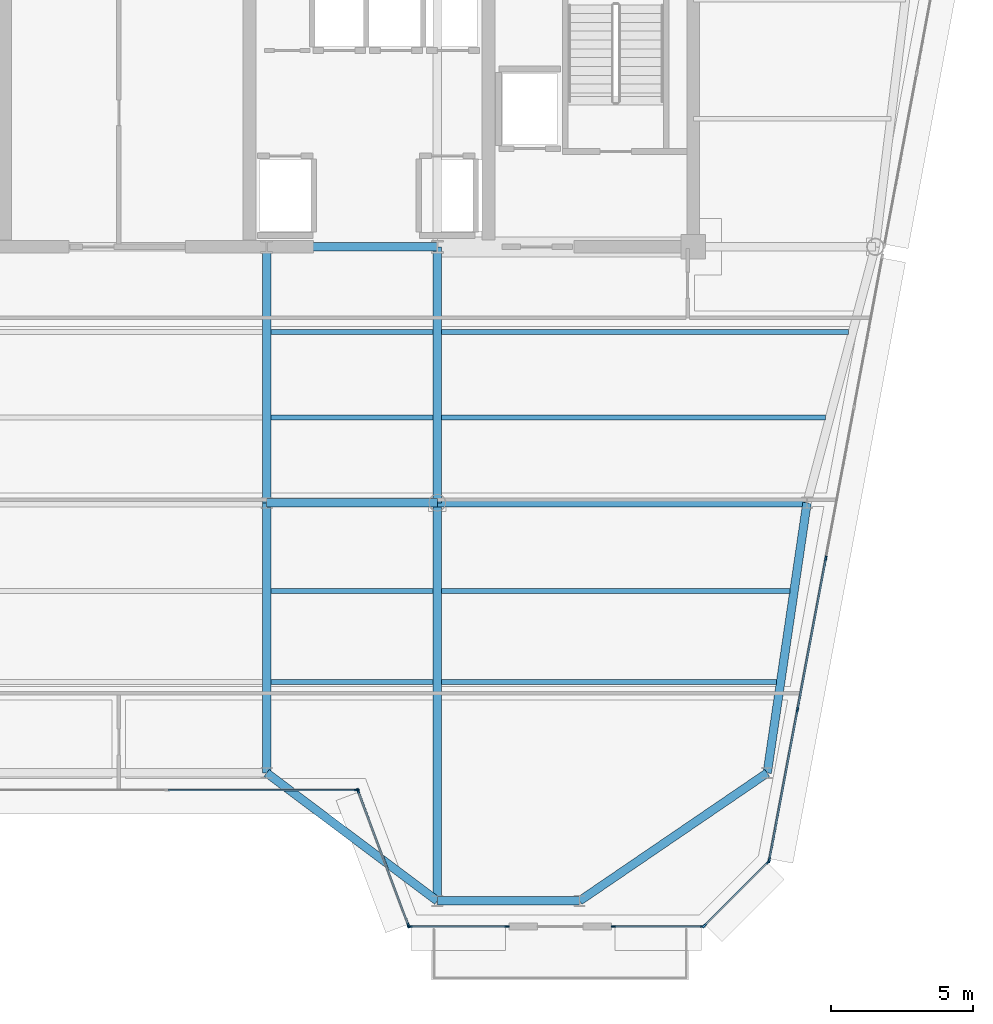
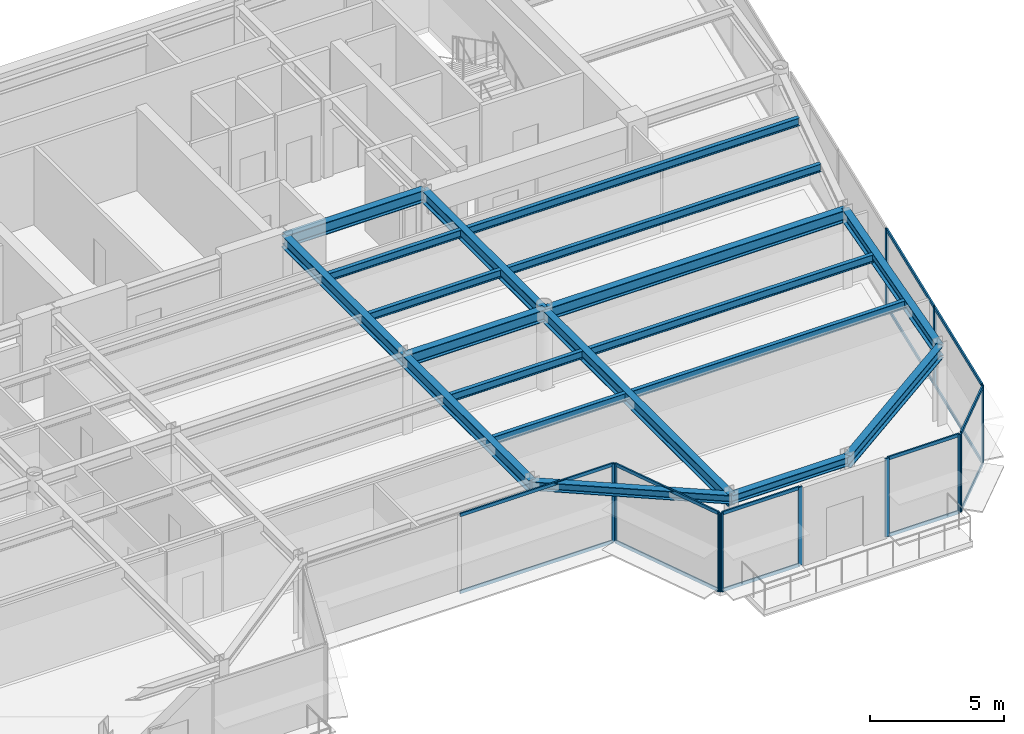
# One storey, part 6 of 20: 26 members, 19 beams, 6 elements without a shape of their own.
"""IFC4 building model written with IfcOpenShell, lengths in metres."""

import ifcopenshell
import ifcopenshell.guid

model = None  # the IFC model being written
_history = None  # IfcOwnerHistory: only IFC2X3 demands one
_inside = {}  # id of a spatial element -> (the spatial element, [elements in it])
_under = {}  # id of a project, library or spatial element -> (it, [spatial elements below it])
_declared = {}  # id of a project -> (the project, [libraries it declares])
_typed = {}  # id of a type object -> (the type object, [elements of that type])
_made_of = {}  # id of a material, layer set ... -> (it, [elements and type objects made of it])


def new_model(schema):
    """Start an empty IFC model of exactly this schema.

    Asked for "IFC4X3", IfcOpenShell would pick the latest addendum, in which some entities
    have other attributes; the version numbers below select the first issue.
    IFC2X3 requires an IfcOwnerHistory on every rooted entity: one is made here for all.
    """
    global model, _history
    if schema == "IFC4X3":
        model = ifcopenshell.file(schema_version=(4, 3, 0, 0))
    else:
        model = ifcopenshell.file(schema=schema)
    _inside.clear()
    _under.clear()
    _declared.clear()
    _typed.clear()
    _made_of.clear()
    _history = None
    if model.schema == "IFC2X3":
        org = make("IfcOrganization", Name="unknown")
        user = make(
            "IfcPersonAndOrganization",
            ThePerson=make("IfcPerson", FamilyName="unknown"),
            TheOrganization=org,
        )
        app = make(
            "IfcApplication",
            ApplicationDeveloper=org,
            Version="unknown",
            ApplicationFullName="unknown",
            ApplicationIdentifier="unknown",
        )
        _history = make(
            "IfcOwnerHistory",
            OwningUser=user,
            OwningApplication=app,
            ChangeAction="ADDED",
            CreationDate=0,
        )
    return model


def make(cls, **values):
    """One entity of the class cls with the attributes given. An attribute that is None is left unset."""
    return model.create_entity(
        cls, **{name: value for name, value in values.items() if value is not None}
    )


def rooted(cls, **values):
    """An entity with a GlobalId (a new one), such as an element, a storey or a relation."""
    return make(cls, GlobalId=ifcopenshell.guid.new(), OwnerHistory=_history, **values)


def si_unit(unit_type, name, prefix=None):
    """IfcSIUnit, for example si_unit("LENGTHUNIT", "METRE", prefix="MILLI")."""
    return make("IfcSIUnit", UnitType=unit_type, Prefix=prefix, Name=name)


def assignment(units):
    """IfcUnitAssignment: the units of a project."""
    return None if units is None else make("IfcUnitAssignment", Units=units)


def point(xyz):
    """IfcCartesianPoint."""
    return None if xyz is None else make("IfcCartesianPoint", Coordinates=xyz)


def direction(xyz):
    """IfcDirection."""
    return None if xyz is None else make("IfcDirection", DirectionRatios=xyz)


def frame(location, z_axis=None, x_axis=None):
    """IfcAxis2Placement3D, a coordinate frame: its origin and axes. An axis left out is left unset."""
    return make(
        "IfcAxis2Placement3D",
        Location=point(location),
        Axis=direction(z_axis),
        RefDirection=direction(x_axis),
    )


def frame_2d(location, x_axis=None):
    """IfcAxis2Placement2D, a coordinate frame in the plane: its origin and x axis."""
    return make(
        "IfcAxis2Placement2D", Location=point(location), RefDirection=direction(x_axis)
    )


def origin():
    """The frame at (0, 0, 0) with its axes left unset."""
    return frame((0.0, 0.0, 0.0))


def origin_2d():
    """The frame at (0, 0) in the plane with its x axis left unset."""
    return frame_2d((0.0, 0.0))


def place(relative_to, where):
    """IfcLocalPlacement: puts the frame where relative to a parent placement (None: the world)."""
    return make(
        "IfcLocalPlacement", PlacementRelTo=relative_to, RelativePlacement=where
    )


def context(
    kind, dimensions, precision=None, world=None, true_north=None, identifier=None
):
    """IfcGeometricRepresentationContext, for example the 3D "Model" context."""
    return make(
        "IfcGeometricRepresentationContext",
        ContextIdentifier=identifier,
        ContextType=kind,
        CoordinateSpaceDimension=dimensions,
        Precision=precision,
        WorldCoordinateSystem=world,
        TrueNorth=true_north,
    )


def subcontext(parent, identifier, kind, view, scale=None):
    """IfcGeometricRepresentationSubContext, for example "Body" below "Model"."""
    return make(
        "IfcGeometricRepresentationSubContext",
        ContextIdentifier=identifier,
        ContextType=kind,
        ParentContext=parent,
        TargetScale=scale,
        TargetView=view,
    )


def project(units=None, contexts=None):
    """IfcProject with its units and contexts."""
    return rooted(
        "IfcProject",
        Name="project",
        RepresentationContexts=contexts,
        UnitsInContext=assignment(units),
    )


def spatial(cls, under=None, at=None, **own):
    """A site, building, storey or space (cls), placed at a placement, below another one or the project."""
    s = rooted(cls, ObjectPlacement=at, **own)
    if under is not None:
        _under.setdefault(under.id(), (under, []))[1].append(s)
    return s


def profile(cls, at=None, kind="AREA", **sizes):
    """A parametric profile (cls). Its sizes go by their IFC names, for example OverallWidth=200.0."""
    return make(cls, ProfileType=kind, Position=at, **sizes)


def rectangle(**sizes):
    """IfcRectangleProfileDef."""
    return profile("IfcRectangleProfileDef", **sizes)


def i_section(**sizes):
    """IfcIShapeProfileDef."""
    return profile("IfcIShapeProfileDef", **sizes)


def extrude(swept, where, along, depth):
    """IfcExtrudedAreaSolid: the profile swept, set in the frame where, extruded along a direction by depth."""
    return make(
        "IfcExtrudedAreaSolid",
        SweptArea=swept,
        Position=where,
        ExtrudedDirection=direction(along),
        Depth=depth,
    )


def shape(context_of_items, identifier, shape_type, items):
    """IfcShapeRepresentation: the items that make up one representation, for example the "Body"."""
    return make(
        "IfcShapeRepresentation",
        ContextOfItems=context_of_items,
        RepresentationIdentifier=identifier,
        RepresentationType=shape_type,
        Items=items,
    )


def source(mapping_origin, context_of_items, identifier, shape_type, items):
    """IfcRepresentationMap: a shape defined once, which mapped items show again and again."""
    return make(
        "IfcRepresentationMap",
        MappingOrigin=mapping_origin,
        MappedRepresentation=shape(context_of_items, identifier, shape_type, items),
    )


def transform(
    local_origin,
    x_axis=None,
    y_axis=None,
    z_axis=None,
    scale=None,
    scale2=None,
    scale3=None,
    uniform=True,
):
    """IfcCartesianTransformationOperator3D, or its non-uniform kind. x_axis, y_axis, z_axis: its Axis1, 2, 3."""
    if uniform:
        return make(
            "IfcCartesianTransformationOperator3D",
            Axis1=direction(x_axis),
            Axis2=direction(y_axis),
            LocalOrigin=point(local_origin),
            Scale=scale,
            Axis3=direction(z_axis),
        )
    return make(
        "IfcCartesianTransformationOperator3DnonUniform",
        Axis1=direction(x_axis),
        Axis2=direction(y_axis),
        LocalOrigin=point(local_origin),
        Scale=scale,
        Axis3=direction(z_axis),
        Scale2=scale2,
        Scale3=scale3,
    )


def mapped(mapping_source, mapping_target):
    """IfcMappedItem: shows the shape of a source again, moved by a transform."""
    return make(
        "IfcMappedItem", MappingSource=mapping_source, MappingTarget=mapping_target
    )


def material(Name=None, Category=None):
    """IfcMaterial."""
    return make("IfcMaterial", Name=Name, Category=Category)


def layer(
    of_material, thickness, ventilated=None, Name=None, Category=None, Priority=None
):
    """IfcMaterialLayer: one layer of a wall or slab, of a material (None: an air gap)."""
    return make(
        "IfcMaterialLayer",
        Material=of_material,
        LayerThickness=thickness,
        IsVentilated=ventilated,
        Name=Name,
        Category=Category,
        Priority=Priority,
    )


def layer_set(layers, Name=None):
    """IfcMaterialLayerSet."""
    return make("IfcMaterialLayerSet", MaterialLayers=layers, LayerSetName=Name)


def material_profile(
    of_material, cross_section, Name=None, Category=None, Priority=None
):
    """IfcMaterialProfile: a cross section and its material."""
    return make(
        "IfcMaterialProfile",
        Name=Name,
        Material=of_material,
        Profile=cross_section,
        Priority=Priority,
        Category=Category,
    )


def profile_set(profiles, Name=None, composite=None):
    """IfcMaterialProfileSet."""
    return make(
        "IfcMaterialProfileSet",
        Name=Name,
        MaterialProfiles=profiles,
        CompositeProfile=composite,
    )


def made_of(thing, what):
    """Note that an element or type object is made of a material, layer set ...; save() writes the relation."""
    if what is not None:
        _made_of.setdefault(what.id(), (what, []))[1].append(thing)
    return thing


def type_object(cls, material=None, **own):
    """A type object (cls), such as IfcWallType, which elements share."""
    return made_of(rooted(cls, **own), material)


def element(
    cls,
    number,
    at=None,
    inside=None,
    cuts=None,
    type_object=None,
    material=None,
    context=None,
    identifier="Body",
    shape_type=None,
    held_by="IfcProductDefinitionShape",
    body=None,
    shapes=None,
    **own,
):
    """One element of the class cls, such as IfcWall. Its Tag is "e" and its number.

    at: its placement. inside: the storey or other place that contains it. cuts: it is an
    opening in that element (IfcRelVoidsElement). A single representation is given by context,
    identifier, shape_type and body (its items); several are given by shapes. held_by: the class
    of the entity that holds the representations. save() writes the other relations.
    """
    e = rooted(cls, Tag="e%d" % number, ObjectPlacement=at, **own)
    if body is not None:
        shapes = [shape(context, identifier, shape_type, body)]
    if shapes is not None:
        e.Representation = make(held_by, Representations=shapes)
    if inside is not None:
        _inside.setdefault(inside.id(), (inside, []))[1].append(e)
    if cuts is not None:
        rooted(
            "IfcRelVoidsElement", RelatingBuildingElement=cuts, RelatedOpeningElement=e
        )
    if type_object is not None:
        _typed.setdefault(type_object.id(), (type_object, []))[1].append(e)
    return made_of(e, material)


def aggregate(whole, parts):
    """IfcRelAggregates: a whole, such as a stair, and the parts it consists of."""
    return rooted("IfcRelAggregates", RelatingObject=whole, RelatedObjects=parts)


def save(model, path):
    """Write the relations noted so far, then the file.

    IfcRelAggregates (storeys below a building ...), IfcRelContainedInSpatialStructure (elements
    in a storey), IfcRelDefinesByType, IfcRelAssociatesMaterial and IfcRelDeclares: one each for
    every whole, place, type object, material and project.
    """
    for whole, parts in _under.values():
        aggregate(whole, parts)
    for where, things in _inside.values():
        rooted(
            "IfcRelContainedInSpatialStructure",
            RelatedElements=things,
            RelatingStructure=where,
        )
    for kind, things in _typed.values():
        rooted("IfcRelDefinesByType", RelatedObjects=things, RelatingType=kind)
    for what, things in _made_of.values():
        rooted("IfcRelAssociatesMaterial", RelatedObjects=things, RelatingMaterial=what)
    for by, libraries in _declared.values():
        rooted("IfcRelDeclares", RelatingContext=by, RelatedDefinitions=libraries)
    model.write(path)


model = new_model("IFC4")

# Units and contexts
model_context = context("Model", 3, precision=1e-05, world=origin(), true_north=direction((0.0, 1.0)))
body_context = subcontext(model_context, "Body", "Model", "MODEL_VIEW")
ifc_project = project(units=[si_unit("LENGTHUNIT", "METRE"), si_unit("AREAUNIT", "SQUARE_METRE"), si_unit("VOLUMEUNIT", "CUBIC_METRE"), si_unit("PLANEANGLEUNIT", "RADIAN"), si_unit("MASSUNIT", "GRAM", prefix="KILO")], contexts=[model_context])

# Site, building, storey
site_placement = place(None, origin())
site = spatial("IfcSite", under=ifc_project, at=site_placement, CompositionType="ELEMENT")
building_placement = place(site_placement, origin())
building = spatial("IfcBuilding", under=site, at=building_placement, Name="Vaeldorn Concourse Tower", CompositionType="ELEMENT")
storey_placement = place(building_placement, frame((0.0, 0.0, 268.800048828125)))
storey = spatial("IfcBuildingStorey", under=building, at=storey_placement, Name="L69", CompositionType="ELEMENT", Elevation=268.800048828125)

# Beams
ifc_material_1 = material(Name="Steel S355", Category="steel")
ifc_material_profile_1 = material_profile(ifc_material_1, i_section(OverallWidth=0.300048828125, OverallDepth=0.39990234375, WebThickness=0.013427734375, FlangeThickness=0.02392578125, FilletRadius=0.027099609375, at=origin_2d()), Name="HEB 400")
ifc_profile_set_1 = profile_set([ifc_material_profile_1], Name="Steel S355")
beam_type_1 = type_object("IfcBeamType", Name="BM-SP-HEB400", PredefinedType="SPANDREL", material=ifc_profile_set_1)
shared_shape_1 = source(origin(), body_context, "Body", "SweptSolid", [
    extrude(i_section(OverallWidth=0.300048828125, OverallDepth=0.39990234375, WebThickness=0.013427734375, FlangeThickness=0.02392578125, FilletRadius=0.027099609375, at=origin_2d()), origin(), (0.0, 0.0, 1.0), 5.0),
])
beam_1_placement = place(storey_placement, frame((45.0, 13.5, 3.3798828125), z_axis=(1.0, 0.0, 0.0), x_axis=(0.0, 1.0, 0.0)))
element("IfcBeam", 1, at=beam_1_placement, inside=storey, type_object=beam_type_1, Name="Beam BM-L69-C-SF5-C-SF6", PredefinedType="SPANDREL", context=body_context, shape_type="MappedRepresentation", body=[
    mapped(shared_shape_1, transform((0.0, 0.0, 0.0), scale=1.0)),
])
shared_shape_2 = source(origin(), body_context, "Body", "SweptSolid", [
    extrude(i_section(OverallWidth=0.300048828125, OverallDepth=0.39990234375, WebThickness=0.013427734375, FlangeThickness=0.02392578125, FilletRadius=0.027099609375, at=origin_2d()), origin(), (0.0, 0.0, 1.0), 7.5),
])
beam_2_placement = place(storey_placement, frame((39.0, 18.0, 3.3798828125), z_axis=(0.8, -0.6, 0.0), x_axis=(0.6, 0.8, 0.0)))
element("IfcBeam", 2, at=beam_2_placement, inside=storey, type_object=beam_type_1, Name="Beam BM-L69-C-SF4-C-SF5", PredefinedType="SPANDREL", context=body_context, shape_type="MappedRepresentation", body=[
    mapped(shared_shape_2, transform((0.0, 0.0, 0.0), scale=1.0)),
])
ifc_material_profile_2 = material_profile(ifc_material_1, i_section(OverallWidth=0.300048828125, OverallDepth=0.550048828125, WebThickness=0.014892578125, FlangeThickness=0.029052734375, FilletRadius=0.027099609375, at=origin_2d()), Name="HEB 550")
ifc_profile_set_2 = profile_set([ifc_material_profile_2], Name="Steel S355")
beam_type_2 = type_object("IfcBeamType", Name="BM-PG-HEB550", PredefinedType="BEAM", material=ifc_profile_set_2)
shared_shape_3 = source(origin(), body_context, "Body", "SweptSolid", [
    extrude(i_section(OverallWidth=0.300048828125, OverallDepth=0.550048828125, WebThickness=0.014892578125, FlangeThickness=0.029052734375, FilletRadius=0.027099609375, at=origin_2d()), origin(), (0.0, 0.0, 1.0), 6.0),
])
for number, where, z_axis, x_axis, name in (
    (3, (39.0, 36.5, 3.304931640625), (1.0, 0.0, 0.0), (0.0, 1.0, 0.0), "Beam BM-L69-C-FC4-C-FC5"),
    (4, (39.0, 27.5, 3.304931640625), (1.0, 0.0, 0.0), (0.0, 1.0, 0.0), "Beam BM-L69-C-TW3-C-TW4"),
):
    element("IfcBeam", number, at=place(storey_placement, frame(where, z_axis=z_axis, x_axis=x_axis)), inside=storey, type_object=beam_type_2, Name=name, PredefinedType="BEAM", context=body_context, shape_type="MappedRepresentation", body=[
        mapped(shared_shape_3, transform((0.0, 0.0, 0.0), scale=1.0)),
    ])
shared_shape_4 = source(origin(), body_context, "Body", "SweptSolid", [
    extrude(i_section(OverallWidth=0.300048828125, OverallDepth=0.550048828125, WebThickness=0.014892578125, FlangeThickness=0.029052734375, FilletRadius=0.027099609375, at=origin_2d()), origin(), (0.0, 0.0, 1.0), 9.0),
])
for number, where, z_axis, x_axis, name in (
    (5, (39.0, 27.5, 3.304931640625), (0.0, 1.0, 0.0), (-1.0, 0.0, 0.0), "Beam BM-L69-C-TW3-C-FC4"),
    (6, (45.0, 27.5, 3.304931640625), (0.0, 1.0, 0.0), (-1.0, 0.0, 0.0), "Beam BM-L69-C-TW4-C-FC5"),
):
    element("IfcBeam", number, at=place(storey_placement, frame(where, z_axis=z_axis, x_axis=x_axis)), inside=storey, type_object=beam_type_2, Name=name, PredefinedType="BEAM", context=body_context, shape_type="MappedRepresentation", body=[
        mapped(shared_shape_4, transform((0.0, 0.0, 0.0), scale=1.0)),
    ])
shared_shape_5 = source(origin(), body_context, "Body", "SweptSolid", [
    extrude(i_section(OverallWidth=0.300048828125, OverallDepth=0.550048828125, WebThickness=0.014892578125, FlangeThickness=0.029052734375, FilletRadius=0.027099609375, at=origin_2d()), origin(), (0.0, 0.0, 1.0), 14.0),
])
beam_3_placement = place(storey_placement, frame((45.0, 13.5, 3.304931640625), z_axis=(0.0, 1.0, 0.0), x_axis=(-1.0, 0.0, 0.0)))
element("IfcBeam", 7, at=beam_3_placement, inside=storey, type_object=beam_type_2, Name="Beam BM-L69-C-SF5-C-TW4", PredefinedType="BEAM", context=body_context, shape_type="MappedRepresentation", body=[
    mapped(shared_shape_5, transform((0.0, 0.0, 0.0), scale=1.0)),
])
shared_shape_6 = source(origin(), body_context, "Body", "SweptSolid", [
    extrude(i_section(OverallWidth=0.300048828125, OverallDepth=0.550048828125, WebThickness=0.014892578125, FlangeThickness=0.029052734375, FilletRadius=0.027099609375, at=origin_2d()), origin(), (0.0, 0.0, 1.0), 13.0),
])
beam_4_placement = place(storey_placement, frame((45.0, 27.5, 3.304931640625), z_axis=(1.0, 0.0, 0.0), x_axis=(0.0, 1.0, 0.0)))
element("IfcBeam", 8, at=beam_4_placement, inside=storey, type_object=beam_type_2, Name="Beam BM-L69-C-TW4-C-FLE1", PredefinedType="BEAM", context=body_context, shape_type="MappedRepresentation", body=[
    mapped(shared_shape_6, transform((0.0, 0.0, 0.0), scale=1.0)),
])
shared_shape_7 = source(origin(), body_context, "Body", "SweptSolid", [
    extrude(i_section(OverallWidth=0.300048828125, OverallDepth=0.550048828125, WebThickness=0.014892578125, FlangeThickness=0.029052734375, FilletRadius=0.027099609375, at=origin_2d()), origin(), (0.0, 0.0, 1.0), 9.6025390625),
])
beam_5_placement = place(storey_placement, frame((58.0, 27.5, 3.304931640625), z_axis=(-0.145783835977, -0.989316467652, 0.0), x_axis=(0.989316467652, -0.145783835977, 0.0)))
element("IfcBeam", 9, at=beam_5_placement, inside=storey, type_object=beam_type_2, Name="Beam BM-L69-C-FLE1-C-FLE2", PredefinedType="BEAM", context=body_context, shape_type="MappedRepresentation", body=[
    mapped(shared_shape_7, transform((0.0, 0.0, 0.0), scale=1.0)),
])
shared_shape_8 = source(origin(), body_context, "Body", "SweptSolid", [
    extrude(i_section(OverallWidth=0.300048828125, OverallDepth=0.550048828125, WebThickness=0.014892578125, FlangeThickness=0.029052734375, FilletRadius=0.027099609375, at=origin_2d()), origin(), (0.0, 0.0, 1.0), 9.5),
])
beam_6_placement = place(storey_placement, frame((39.0, 18.0, 3.304931640625), z_axis=(0.0, 1.0, 0.0), x_axis=(-1.0, 0.0, 0.0)))
element("IfcBeam", 10, at=beam_6_placement, inside=storey, type_object=beam_type_2, Name="Beam BM-L69-C-SF4-C-TW3", PredefinedType="BEAM", context=body_context, shape_type="MappedRepresentation", body=[
    mapped(shared_shape_8, transform((0.0, 0.0, 0.0), scale=1.0)),
])
shared_shape_9 = source(origin(), body_context, "Body", "SweptSolid", [
    extrude(i_section(OverallWidth=0.300048828125, OverallDepth=0.550048828125, WebThickness=0.014892578125, FlangeThickness=0.029052734375, FilletRadius=0.027099609375, at=origin_2d()), origin(), (0.0, 0.0, 1.0), 7.98828125),
])
beam_7_placement = place(storey_placement, frame((50.0, 13.5, 3.304931640625), z_axis=(0.826231222393, 0.56333113454, 0.0), x_axis=(-0.56333113454, 0.826231222393, 0.0)))
element("IfcBeam", 11, at=beam_7_placement, inside=storey, type_object=beam_type_2, Name="Beam BM-L69-C-SF6-C-FLE2", PredefinedType="BEAM", context=body_context, shape_type="MappedRepresentation", body=[
    mapped(shared_shape_9, transform((0.0, 0.0, 0.0), scale=1.0)),
])
ifc_material_profile_3 = material_profile(ifc_material_1, i_section(OverallWidth=0.169921875, OverallDepth=0.360107421875, WebThickness=0.008056640625, FlangeThickness=0.0126953125, FilletRadius=0.01806640625, at=origin_2d()), Name="IPE 360")
ifc_profile_set_3 = profile_set([ifc_material_profile_3], Name="Steel S355")
beam_type_3 = type_object("IfcBeamType", Name="BM-JS-IPE360", PredefinedType="JOIST", material=ifc_profile_set_3)
shared_shape_10 = source(origin(), body_context, "Body", "SweptSolid", [
    extrude(i_section(OverallWidth=0.169921875, OverallDepth=0.360107421875, WebThickness=0.008056640625, FlangeThickness=0.0126953125, FilletRadius=0.01806640625, at=origin_2d()), origin(), (0.0, 0.0, 1.0), 11.771728515625),
])
beam_8_placement = place(storey_placement, frame((45.14990234375, 21.199951171875, 3.39990234375), z_axis=(1.0, 0.0, 0.0), x_axis=(0.0, 1.0, 0.0)))
element("IfcBeam", 12, at=beam_8_placement, inside=storey, type_object=beam_type_3, Name="Beam JS-L69-E1-212", PredefinedType="JOIST", context=body_context, shape_type="MappedRepresentation", body=[
    mapped(shared_shape_10, transform((0.0, 0.0, 0.0), scale=1.0)),
])
shared_shape_11 = source(origin(), body_context, "Body", "SweptSolid", [
    extrude(i_section(OverallWidth=0.169921875, OverallDepth=0.360107421875, WebThickness=0.008056640625, FlangeThickness=0.0126953125, FilletRadius=0.01806640625, at=origin_2d()), origin(), (0.0, 0.0, 1.0), 5.7001953125),
])
for number, where, z_axis, x_axis, name in (
    (13, (39.14990234375, 21.199951171875, 3.39990234375), (1.0, 0.0, 0.0), (0.0, 1.0, 0.0), "Beam JS-L69-E2-212"),
    (14, (39.14990234375, 24.39990234375, 3.39990234375), (1.0, 0.0, 0.0), (0.0, 1.0, 0.0), "Beam JS-L69-E2-244"),
    (15, (39.14990234375, 30.5, 3.39990234375), (1.0, 0.0, 0.0), (0.0, 1.0, 0.0), "Beam JS-L69-E2-305"),
    (16, (39.14990234375, 33.5, 3.39990234375), (1.0, 0.0, 0.0), (0.0, 1.0, 0.0), "Beam JS-L69-E2-335"),
):
    element("IfcBeam", number, at=place(storey_placement, frame(where, z_axis=z_axis, x_axis=x_axis)), inside=storey, type_object=beam_type_3, Name=name, PredefinedType="JOIST", context=body_context, shape_type="MappedRepresentation", body=[
        mapped(shared_shape_11, transform((0.0, 0.0, 0.0), scale=1.0)),
    ])
shared_shape_12 = source(origin(), body_context, "Body", "SweptSolid", [
    extrude(i_section(OverallWidth=0.169921875, OverallDepth=0.360107421875, WebThickness=0.008056640625, FlangeThickness=0.0126953125, FilletRadius=0.01806640625, at=origin_2d()), origin(), (0.0, 0.0, 1.0), 12.243408203125),
])
beam_9_placement = place(storey_placement, frame((45.14990234375, 24.39990234375, 3.39990234375), z_axis=(1.0, 0.0, 0.0), x_axis=(0.0, 1.0, 0.0)))
element("IfcBeam", 17, at=beam_9_placement, inside=storey, type_object=beam_type_3, Name="Beam JS-L69-E1-244", PredefinedType="JOIST", context=body_context, shape_type="MappedRepresentation", body=[
    mapped(shared_shape_12, transform((0.0, 0.0, 0.0), scale=1.0)),
])
shared_shape_13 = source(origin(), body_context, "Body", "SweptSolid", [
    extrude(i_section(OverallWidth=0.169921875, OverallDepth=0.360107421875, WebThickness=0.008056640625, FlangeThickness=0.0126953125, FilletRadius=0.01806640625, at=origin_2d()), origin(), (0.0, 0.0, 1.0), 13.5),
])
beam_10_placement = place(storey_placement, frame((45.14990234375, 30.5, 3.39990234375), z_axis=(1.0, 0.0, 0.0), x_axis=(0.0, 1.0, 0.0)))
element("IfcBeam", 18, at=beam_10_placement, inside=storey, type_object=beam_type_3, Name="Beam JS-L69-E1-305", PredefinedType="JOIST", context=body_context, shape_type="MappedRepresentation", body=[
    mapped(shared_shape_13, transform((0.0, 0.0, 0.0), scale=1.0)),
])
shared_shape_14 = source(origin(), body_context, "Body", "SweptSolid", [
    extrude(i_section(OverallWidth=0.169921875, OverallDepth=0.360107421875, WebThickness=0.008056640625, FlangeThickness=0.0126953125, FilletRadius=0.01806640625, at=origin_2d()), origin(), (0.0, 0.0, 1.0), 14.300048828125),
])
beam_11_placement = place(storey_placement, frame((45.14990234375, 33.5, 3.39990234375), z_axis=(1.0, 0.0, 0.0), x_axis=(0.0, 1.0, 0.0)))
element("IfcBeam", 19, at=beam_11_placement, inside=storey, type_object=beam_type_3, Name="Beam JS-L69-E1-335", PredefinedType="JOIST", context=body_context, shape_type="MappedRepresentation", body=[
    mapped(shared_shape_14, transform((0.0, 0.0, 0.0), scale=1.0)),
])

# Curtain wall, member
ifc_material_2 = material(Name="Anodised Bronze Aluminium", Category="aluminium")
ifc_layer = layer(ifc_material_2, 0.2099609375)
ifc_layer_set = layer_set([ifc_layer], Name="Anodised Bronze Aluminium")
curtain_wall_type = type_object("IfcCurtainWallType", Name="CW-SYS-06", PredefinedType="NOTDEFINED", material=ifc_layer_set)
curtain_wall_1_placement = place(storey_placement, origin())
curtain_wall_1 = element("IfcCurtainWall", 20, at=curtain_wall_1_placement, inside=storey, type_object=curtain_wall_type, Name="Unitised Curtain Wall CW-L69-E03-1", PredefinedType="NOTDEFINED")
ifc_material_profile_4 = material_profile(ifc_material_2, rectangle(XDim=0.06494140625, YDim=0.169921875, at=origin_2d()), Name="CWM 65x170")
ifc_profile_set_4 = profile_set([ifc_material_profile_4], Name="Anodised Bronze Aluminium")
member_type_1 = type_object("IfcMemberType", Name="CWM-BRONZE-170", PredefinedType="MULLION", material=ifc_profile_set_4)
shared_shape_15 = source(origin(), body_context, "Body", "SweptSolid", [
    extrude(rectangle(XDim=0.06494140625, YDim=0.169921875, at=origin_2d()), origin(), (0.0, 0.0, 1.0), 3.579833984375),
])
member_1_placement = place(storey_placement, frame((42.16748046875, 17.39990234375, 0.0), z_axis=(0.0, 0.0, 1.0), x_axis=(0.0, 1.0, 0.0)))
member_1 = element("IfcMember", 21, at=member_1_placement, type_object=member_type_1, Name="CW-06 mullion 3", PredefinedType="MULLION", context=body_context, shape_type="MappedRepresentation", body=[
    mapped(shared_shape_15, transform((0.0, 0.0, 0.0), scale=1.0)),
])

# Curtain wall, members
curtain_wall_2_placement = place(storey_placement, origin())
curtain_wall_2 = element("IfcCurtainWall", 22, at=curtain_wall_2_placement, inside=storey, type_object=curtain_wall_type, Name="Unitised Curtain Wall CW-L69-E04-1", PredefinedType="NOTDEFINED")
member_2_placement = place(storey_placement, frame((42.21142578125, 17.36962890625, 0.0), z_axis=(0.0, 0.0, 1.0), x_axis=(0.936329177566, 0.351123441595, 0.0)))
member_2 = element("IfcMember", 23, at=member_2_placement, type_object=member_type_1, Name="CW-06 mullion 1", PredefinedType="MULLION", context=body_context, shape_type="MappedRepresentation", body=[
    mapped(shared_shape_15, transform((0.0, 0.0, 0.0), scale=1.0)),
])
member_3_placement = place(storey_placement, frame((43.988525390625, 12.63037109375, 0.0), z_axis=(0.0, 0.0, 1.0), x_axis=(0.936329177566, 0.351123441595, 0.0)))
member_3 = element("IfcMember", 24, at=member_3_placement, type_object=member_type_1, Name="CW-06 mullion 2", PredefinedType="MULLION", context=body_context, shape_type="MappedRepresentation", body=[
    mapped(shared_shape_15, transform((0.0, 0.0, 0.0), scale=1.0)),
])

curtain_wall_3_placement = place(storey_placement, origin())
curtain_wall_3 = element("IfcCurtainWall", 25, at=curtain_wall_3_placement, inside=storey, type_object=curtain_wall_type, Name="Unitised Curtain Wall CW-L69-E05-1", PredefinedType="NOTDEFINED")
member_4_placement = place(storey_placement, frame((44.032470703125, 12.60009765625, 0.0), z_axis=(0.0, 0.0, 1.0), x_axis=(0.0, 1.0, 0.0)))
member_4 = element("IfcMember", 26, at=member_4_placement, type_object=member_type_1, Name="CW-06 mullion 1", PredefinedType="MULLION", context=body_context, shape_type="MappedRepresentation", body=[
    mapped(shared_shape_15, transform((0.0, 0.0, 0.0), scale=1.0)),
])
member_5_placement = place(storey_placement, frame((47.447509765625, 12.60009765625, 0.0), z_axis=(0.0, 0.0, 1.0), x_axis=(0.0, 1.0, 0.0)))
member_5 = element("IfcMember", 27, at=member_5_placement, type_object=member_type_1, Name="CW-06 mullion 2", PredefinedType="MULLION", context=body_context, shape_type="MappedRepresentation", body=[
    mapped(shared_shape_15, transform((0.0, 0.0, 0.0), scale=1.0)),
])

curtain_wall_4_placement = place(storey_placement, origin())
curtain_wall_4 = element("IfcCurtainWall", 28, at=curtain_wall_4_placement, inside=storey, type_object=curtain_wall_type, Name="Unitised Curtain Wall CW-L69-E05-2", PredefinedType="NOTDEFINED")
member_6_placement = place(storey_placement, frame((51.1923828125, 12.60009765625, 0.0), z_axis=(0.0, 0.0, 1.0), x_axis=(0.0, 1.0, 0.0)))
member_6 = element("IfcMember", 29, at=member_6_placement, type_object=member_type_1, Name="CW-06 mullion 1", PredefinedType="MULLION", context=body_context, shape_type="MappedRepresentation", body=[
    mapped(shared_shape_15, transform((0.0, 0.0, 0.0), scale=1.0)),
])
member_7_placement = place(storey_placement, frame((54.33154296875, 12.60009765625, 0.0), z_axis=(0.0, 0.0, 1.0), x_axis=(0.0, 1.0, 0.0)))
member_7 = element("IfcMember", 30, at=member_7_placement, type_object=member_type_1, Name="CW-06 mullion 2", PredefinedType="MULLION", context=body_context, shape_type="MappedRepresentation", body=[
    mapped(shared_shape_15, transform((0.0, 0.0, 0.0), scale=1.0)),
])

curtain_wall_5_placement = place(storey_placement, origin())
curtain_wall_5 = element("IfcCurtainWall", 31, at=curtain_wall_5_placement, inside=storey, type_object=curtain_wall_type, Name="Unitised Curtain Wall CW-L69-E06-1", PredefinedType="NOTDEFINED")
member_8_placement = place(storey_placement, frame((54.386962890625, 12.623046875, 0.0), z_axis=(0.0, 0.0, 1.0), x_axis=(-0.707106781187, 0.707106781187, 0.0)))
member_8 = element("IfcMember", 32, at=member_8_placement, type_object=member_type_1, Name="CW-06 mullion 1", PredefinedType="MULLION", context=body_context, shape_type="MappedRepresentation", body=[
    mapped(shared_shape_15, transform((0.0, 0.0, 0.0), scale=1.0)),
])
member_9_placement = place(storey_placement, frame((56.64111328125, 14.876953125, 0.0), z_axis=(0.0, 0.0, 1.0), x_axis=(-0.707106781187, 0.707106781187, 0.0)))
member_9 = element("IfcMember", 33, at=member_9_placement, type_object=member_type_1, Name="CW-06 mullion 2", PredefinedType="MULLION", context=body_context, shape_type="MappedRepresentation", body=[
    mapped(shared_shape_15, transform((0.0, 0.0, 0.0), scale=1.0)),
])

curtain_wall_6_placement = place(storey_placement, origin())
curtain_wall_6 = element("IfcCurtainWall", 34, at=curtain_wall_6_placement, inside=storey, type_object=curtain_wall_type, Name="Unitised Curtain Wall CW-L69-E07-1", PredefinedType="NOTDEFINED")
member_10_placement = place(storey_placement, frame((56.669921875, 14.931884765625, 0.0), z_axis=(0.0, 0.0, 1.0), x_axis=(-0.982880027444, 0.184246714088, 0.0)))
member_10 = element("IfcMember", 35, at=member_10_placement, type_object=member_type_1, Name="CW-06 mullion 1", PredefinedType="MULLION", context=body_context, shape_type="MappedRepresentation", body=[
    mapped(shared_shape_15, transform((0.0, 0.0, 0.0), scale=1.0)),
])
member_11_placement = place(storey_placement, frame((57.66162109375, 20.22119140625, 0.0), z_axis=(0.0, 0.0, 1.0), x_axis=(-0.982880027444, 0.184246714088, 0.0)))
member_11 = element("IfcMember", 36, at=member_11_placement, type_object=member_type_1, Name="CW-06 mullion 2", PredefinedType="MULLION", context=body_context, shape_type="MappedRepresentation", body=[
    mapped(shared_shape_15, transform((0.0, 0.0, 0.0), scale=1.0)),
])
member_12_placement = place(storey_placement, frame((58.658935546875, 25.54248046875, 0.0), z_axis=(0.0, 0.0, 1.0), x_axis=(-0.982880027444, 0.184246714088, 0.0)))
member_12 = element("IfcMember", 37, at=member_12_placement, type_object=member_type_1, Name="CW-06 mullion 3", PredefinedType="MULLION", context=body_context, shape_type="MappedRepresentation", body=[
    mapped(shared_shape_15, transform((0.0, 0.0, 0.0), scale=1.0)),
])

# Member
ifc_material_profile_5 = material_profile(ifc_material_2, rectangle(XDim=0.06494140625, YDim=0.14990234375, at=origin_2d()), Name="CWT 65x150")
ifc_profile_set_5 = profile_set([ifc_material_profile_5], Name="Anodised Bronze Aluminium")
member_type_2 = type_object("IfcMemberType", Name="CWT-BRONZE-150", PredefinedType="USERDEFINED", material=ifc_profile_set_5)
shared_shape_16 = source(origin(), body_context, "Body", "SweptSolid", [
    extrude(rectangle(XDim=0.06494140625, YDim=0.14990234375, at=origin_2d()), origin(), (0.0, 0.0, 1.0), 4.996337890625),
])
member_13_placement = place(storey_placement, frame((42.222900390625, 17.339111328125, 0.032470703125), z_axis=(0.351134151405, -0.936325161318, 0.0), x_axis=(0.936325161318, 0.351134151405, 0.0)))
member_13 = element("IfcMember", 38, at=member_13_placement, type_object=member_type_2, Name="CW-06 transom 1.1", ObjectType="TRANSOM", PredefinedType="USERDEFINED", context=body_context, shape_type="MappedRepresentation", body=[
    mapped(shared_shape_16, transform((0.0, 0.0, 0.0), scale=1.0)),
])

member_14_placement = place(storey_placement, frame((42.222900390625, 17.339111328125, 3.54736328125), z_axis=(0.351134151405, -0.936325161318, 0.0), x_axis=(0.936325161318, 0.351134151405, 0.0)))
member_14 = element("IfcMember", 39, at=member_14_placement, type_object=member_type_2, Name="CW-06 transom 1.2", ObjectType="TRANSOM", PredefinedType="USERDEFINED", context=body_context, shape_type="MappedRepresentation", body=[
    mapped(shared_shape_16, transform((0.0, 0.0, 0.0), scale=1.0)),
])

aggregate(curtain_wall_2, [member_2, member_3, member_13, member_14])

shared_shape_17 = source(origin(), body_context, "Body", "SweptSolid", [
    extrude(rectangle(XDim=0.06494140625, YDim=0.14990234375, at=origin_2d()), origin(), (0.0, 0.0, 1.0), 6.6025390625),
])
member_15_placement = place(storey_placement, frame((35.532470703125, 17.39990234375, 0.032470703125), z_axis=(1.0, 0.0, 0.0), x_axis=(0.0, 1.0, 0.0)))
member_15 = element("IfcMember", 40, at=member_15_placement, type_object=member_type_2, Name="CW-06 transom 2.1", ObjectType="TRANSOM", PredefinedType="USERDEFINED", context=body_context, shape_type="MappedRepresentation", body=[
    mapped(shared_shape_17, transform((0.0, 0.0, 0.0), scale=1.0)),
])

member_16_placement = place(storey_placement, frame((35.532470703125, 17.39990234375, 3.54736328125), z_axis=(1.0, 0.0, 0.0), x_axis=(0.0, 1.0, 0.0)))
member_16 = element("IfcMember", 41, at=member_16_placement, type_object=member_type_2, Name="CW-06 transom 2.2", ObjectType="TRANSOM", PredefinedType="USERDEFINED", context=body_context, shape_type="MappedRepresentation", body=[
    mapped(shared_shape_17, transform((0.0, 0.0, 0.0), scale=1.0)),
])

aggregate(curtain_wall_1, [member_1, member_15, member_16])

shared_shape_18 = source(origin(), body_context, "Body", "SweptSolid", [
    extrude(rectangle(XDim=0.06494140625, YDim=0.14990234375, at=origin_2d()), origin(), (0.0, 0.0, 1.0), 3.12255859375),
])
member_17_placement = place(storey_placement, frame((54.409912109375, 12.64599609375, 0.032470703125), z_axis=(0.707106781187, 0.707106781187, 0.0), x_axis=(-0.707106781187, 0.707106781187, 0.0)))
member_17 = element("IfcMember", 42, at=member_17_placement, type_object=member_type_2, Name="CW-06 transom 1.1", ObjectType="TRANSOM", PredefinedType="USERDEFINED", context=body_context, shape_type="MappedRepresentation", body=[
    mapped(shared_shape_18, transform((0.0, 0.0, 0.0), scale=1.0)),
])

member_18_placement = place(storey_placement, frame((54.409912109375, 12.64599609375, 3.54736328125), z_axis=(0.707106781187, 0.707106781187, 0.0), x_axis=(-0.707106781187, 0.707106781187, 0.0)))
member_18 = element("IfcMember", 43, at=member_18_placement, type_object=member_type_2, Name="CW-06 transom 1.2", ObjectType="TRANSOM", PredefinedType="USERDEFINED", context=body_context, shape_type="MappedRepresentation", body=[
    mapped(shared_shape_18, transform((0.0, 0.0, 0.0), scale=1.0)),
])

aggregate(curtain_wall_5, [member_8, member_9, member_17, member_18])

shared_shape_19 = source(origin(), body_context, "Body", "SweptSolid", [
    extrude(rectangle(XDim=0.06494140625, YDim=0.14990234375, at=origin_2d()), origin(), (0.0, 0.0, 1.0), 3.35009765625),
])
member_19_placement = place(storey_placement, frame((44.06494140625, 12.60009765625, 0.032470703125), z_axis=(1.0, 0.0, 0.0), x_axis=(0.0, 1.0, 0.0)))
member_19 = element("IfcMember", 44, at=member_19_placement, type_object=member_type_2, Name="CW-06 transom 1.1", ObjectType="TRANSOM", PredefinedType="USERDEFINED", context=body_context, shape_type="MappedRepresentation", body=[
    mapped(shared_shape_19, transform((0.0, 0.0, 0.0), scale=1.0)),
])

member_20_placement = place(storey_placement, frame((44.06494140625, 12.60009765625, 3.54736328125), z_axis=(1.0, 0.0, 0.0), x_axis=(0.0, 1.0, 0.0)))
member_20 = element("IfcMember", 45, at=member_20_placement, type_object=member_type_2, Name="CW-06 transom 1.2", ObjectType="TRANSOM", PredefinedType="USERDEFINED", context=body_context, shape_type="MappedRepresentation", body=[
    mapped(shared_shape_19, transform((0.0, 0.0, 0.0), scale=1.0)),
])

aggregate(curtain_wall_3, [member_4, member_5, member_19, member_20])

shared_shape_20 = source(origin(), body_context, "Body", "SweptSolid", [
    extrude(rectangle(XDim=0.06494140625, YDim=0.14990234375, at=origin_2d()), origin(), (0.0, 0.0, 1.0), 3.073974609375),
])
member_21_placement = place(storey_placement, frame((51.22509765625, 12.60009765625, 0.032470703125), z_axis=(1.0, 0.0, 0.0), x_axis=(0.0, 1.0, 0.0)))
member_21 = element("IfcMember", 46, at=member_21_placement, type_object=member_type_2, Name="CW-06 transom 1.1", ObjectType="TRANSOM", PredefinedType="USERDEFINED", context=body_context, shape_type="MappedRepresentation", body=[
    mapped(shared_shape_20, transform((0.0, 0.0, 0.0), scale=1.0)),
])

member_22_placement = place(storey_placement, frame((51.22509765625, 12.60009765625, 3.54736328125), z_axis=(1.0, 0.0, 0.0), x_axis=(0.0, 1.0, 0.0)))
member_22 = element("IfcMember", 47, at=member_22_placement, type_object=member_type_2, Name="CW-06 transom 1.2", ObjectType="TRANSOM", PredefinedType="USERDEFINED", context=body_context, shape_type="MappedRepresentation", body=[
    mapped(shared_shape_20, transform((0.0, 0.0, 0.0), scale=1.0)),
])

aggregate(curtain_wall_4, [member_6, member_7, member_21, member_22])

shared_shape_21 = source(origin(), body_context, "Body", "SweptSolid", [
    extrude(rectangle(XDim=0.06494140625, YDim=0.14990234375, at=origin_2d()), origin(), (0.0, 0.0, 1.0), 5.31640625),
])
member_23_placement = place(storey_placement, frame((56.676025390625, 14.9638671875, 0.032470703125), z_axis=(0.184241399207, 0.982881023735, 0.0), x_axis=(-0.982881023735, 0.184241399207, 0.0)))
member_23 = element("IfcMember", 48, at=member_23_placement, type_object=member_type_2, Name="CW-06 transom 1.1", ObjectType="TRANSOM", PredefinedType="USERDEFINED", context=body_context, shape_type="MappedRepresentation", body=[
    mapped(shared_shape_21, transform((0.0, 0.0, 0.0), scale=1.0)),
])

member_24_placement = place(storey_placement, frame((56.676025390625, 14.9638671875, 3.54736328125), z_axis=(0.184241399207, 0.982881023735, 0.0), x_axis=(-0.982881023735, 0.184241399207, 0.0)))
member_24 = element("IfcMember", 49, at=member_24_placement, type_object=member_type_2, Name="CW-06 transom 1.2", ObjectType="TRANSOM", PredefinedType="USERDEFINED", context=body_context, shape_type="MappedRepresentation", body=[
    mapped(shared_shape_21, transform((0.0, 0.0, 0.0), scale=1.0)),
])

shared_shape_22 = source(origin(), body_context, "Body", "SweptSolid", [
    extrude(rectangle(XDim=0.06494140625, YDim=0.14990234375, at=origin_2d()), origin(), (0.0, 0.0, 1.0), 5.348876953125),
])
member_25_placement = place(storey_placement, frame((57.66748046875, 20.253173828125, 0.032470703125), z_axis=(0.184260976912, 0.982877353685, 0.0), x_axis=(-0.982877353685, 0.184260976912, 0.0)))
member_25 = element("IfcMember", 50, at=member_25_placement, type_object=member_type_2, Name="CW-06 transom 2.1", ObjectType="TRANSOM", PredefinedType="USERDEFINED", context=body_context, shape_type="MappedRepresentation", body=[
    mapped(shared_shape_22, transform((0.0, 0.0, 0.0), scale=1.0)),
])

member_26_placement = place(storey_placement, frame((57.66748046875, 20.253173828125, 3.54736328125), z_axis=(0.184260976912, 0.982877353685, 0.0), x_axis=(-0.982877353685, 0.184260976912, 0.0)))
member_26 = element("IfcMember", 51, at=member_26_placement, type_object=member_type_2, Name="CW-06 transom 2.2", ObjectType="TRANSOM", PredefinedType="USERDEFINED", context=body_context, shape_type="MappedRepresentation", body=[
    mapped(shared_shape_22, transform((0.0, 0.0, 0.0), scale=1.0)),
])

aggregate(curtain_wall_6, [member_10, member_11, member_12, member_23, member_24, member_25, member_26])

save(model, "model.ifc")
